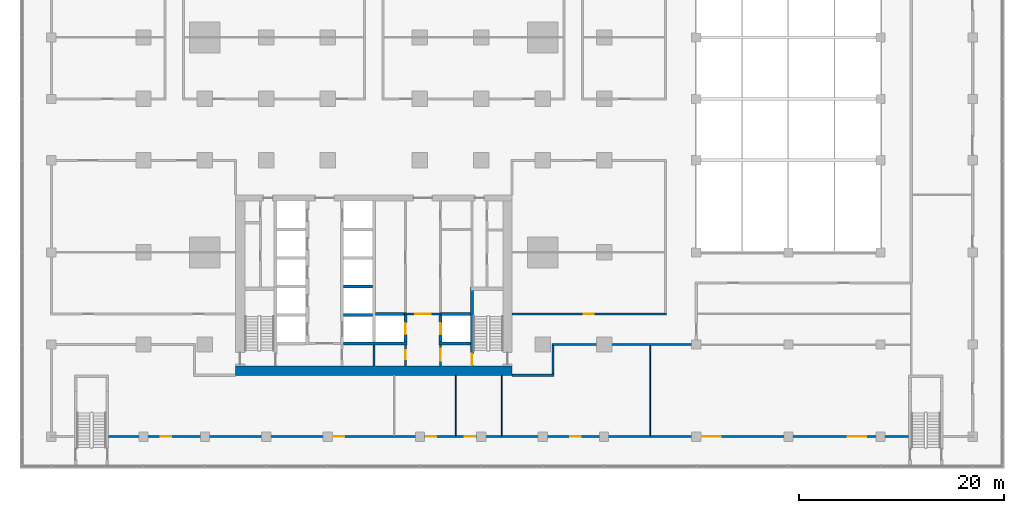
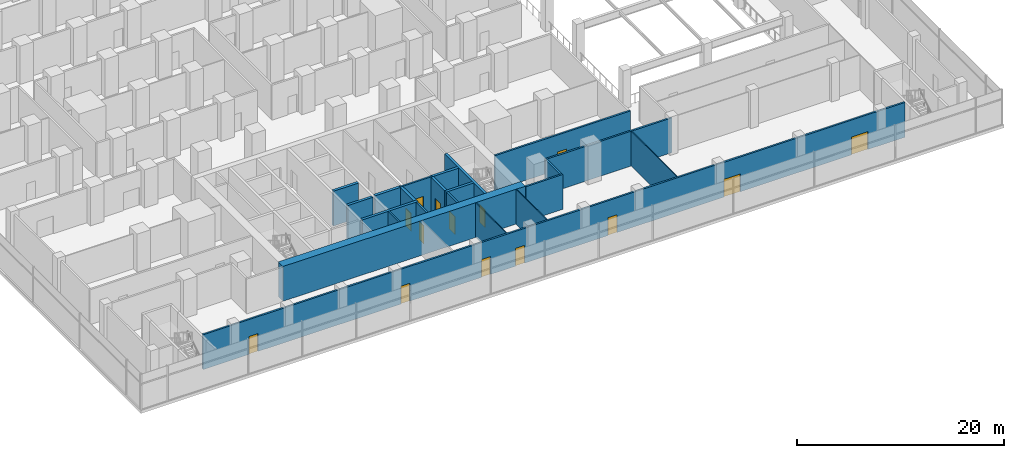
# One storey, part 14 of 22: 22 walls, 14 doors, 14 openings.
"""IFC4 building model written with IfcOpenShell, lengths in metres."""

from ifc_helpers import new_model, si_unit, direction, frame, frame_2d, origin, place, context, subcontext, project, spatial, rectangle, extrude, material, layer, layer_set, type_object, element, fill, save


model = new_model("IFC4")

# Units and contexts
model_context = context("Model", 3, precision=1e-05, world=origin(), true_north=direction((0.0, 1.0)))
body_context = subcontext(model_context, "Body", "Model", "MODEL_VIEW")
ifc_project = project(units=[si_unit("LENGTHUNIT", "METRE"), si_unit("AREAUNIT", "SQUARE_METRE"), si_unit("VOLUMEUNIT", "CUBIC_METRE"), si_unit("PLANEANGLEUNIT", "RADIAN"), si_unit("MASSUNIT", "GRAM", prefix="KILO")], contexts=[model_context])

# Site, building, storey
site_placement = place(None, origin())
site = spatial("IfcSite", under=ifc_project, at=site_placement, CompositionType="ELEMENT")
building_placement = place(site_placement, origin())
building = spatial("IfcBuilding", under=site, at=building_placement, Name="Finial Court Residences", CompositionType="ELEMENT")
storey_placement = place(building_placement, frame((0.0, 0.0, 28.0)))
storey = spatial("IfcBuildingStorey", under=building, at=storey_placement, Name="L05", CompositionType="ELEMENT", Elevation=28.0)

# Wall
ifc_material_1 = material(Name="Concrete C80/95", Category="concrete")
ifc_layer_1 = layer(ifc_material_1, 0.89990234375)
ifc_layer_set_1 = layer_set([ifc_layer_1], Name="Core outer wall 900 Concrete C80/95")
wall_type_1 = type_object("IfcWallType", Name="Core outer wall 900 Concrete C80/95", PredefinedType="SHEAR", material=ifc_layer_set_1)
wall_1_placement = place(storey_placement, frame((-13.5, -25.050048828125, 0.0), z_axis=(0.0, 0.0, 1.0), x_axis=(1.0, 0.0, 0.0)))
element("IfcWall", 1, at=wall_1_placement, inside=storey, type_object=wall_type_1, Name="Core outer wall L05-01", PredefinedType="SHEAR", context=body_context, shape_type="SweptSolid", body=[
    extrude(rectangle(XDim=27.0, YDim=0.89990234375, at=frame_2d((13.5, 0.0))), origin(), (0.0, 0.0, 1.0), 4.10009765625),
])

# Wall, openings, doors
ifc_material_2 = material(Name="Gypsum board")
ifc_layer_2 = layer(ifc_material_2, 0.02490234375)
ifc_material_3 = material(Name="Acoustic mineral wool in double frame")
ifc_layer_3 = layer(ifc_material_3, 0.14990234375)
ifc_layer_4 = layer(ifc_material_2, 0.02490234375)
ifc_layer_set_2 = layer_set([ifc_layer_2, ifc_layer_3, ifc_layer_4], Name="Corridor wall 200, 1 hour")
wall_type_2 = type_object("IfcWallType", Name="Corridor wall 200, 1 hour", PredefinedType="PARTITIONING", material=ifc_layer_set_2)
wall_2_placement = place(storey_placement, frame((-25.89990234375, -31.5, 0.0), z_axis=(0.0, 0.0, 1.0), x_axis=(1.0, 0.0, 0.0)))
wall_2 = element("IfcWall", 2, at=wall_2_placement, inside=storey, type_object=wall_type_2, Name="Partition L05-001", PredefinedType="PARTITIONING", context=body_context, shape_type="SweptSolid", body=[
    extrude(rectangle(XDim=78.14990234375, YDim=0.199951171875, at=frame_2d((39.074951171875, 0.0))), origin(), (0.0, 0.0, 1.0), 4.10009765625),
])
opening_1_placement = place(wall_2_placement, frame((5.10009765625, 0.0, 0.0)))
opening_1 = element("IfcOpeningElement", 3, at=opening_1_placement, cuts=wall_2, Name="Opening L05-D001", PredefinedType="OPENING", context=body_context, shape_type="SweptSolid", body=[
    extrude(rectangle(XDim=1.0, YDim=2.10009765625, at=frame_2d((0.5, 1.050048828125))), frame((0.0, 0.10986328125, 0.0), z_axis=(0.0, -1.0, 0.0), x_axis=(1.0, 0.0, 0.0)), (0.0, 0.0, 1.0), 0.219970703125),
])
opening_2_placement = place(wall_2_placement, frame((22.0, 0.0, 0.0)))
opening_2 = element("IfcOpeningElement", 4, at=opening_2_placement, cuts=wall_2, Name="Opening L05-D002", PredefinedType="OPENING", context=body_context, shape_type="SweptSolid", body=[
    extrude(rectangle(XDim=1.0, YDim=2.10009765625, at=frame_2d((0.5, 1.050048828125))), frame((0.0, 0.10986328125, 0.0), z_axis=(0.0, -1.0, 0.0), x_axis=(1.0, 0.0, 0.0)), (0.0, 0.0, 1.0), 0.219970703125),
])
opening_3_placement = place(wall_2_placement, frame((31.0, 0.0, 0.0)))
opening_3 = element("IfcOpeningElement", 5, at=opening_3_placement, cuts=wall_2, Name="Opening L05-D003", PredefinedType="OPENING", context=body_context, shape_type="SweptSolid", body=[
    extrude(rectangle(XDim=1.0, YDim=2.10009765625, at=frame_2d((0.5, 1.050048828125))), frame((0.0, 0.10986328125, 0.0), z_axis=(0.0, -1.0, 0.0), x_axis=(1.0, 0.0, 0.0)), (0.0, 0.0, 1.0), 0.219970703125),
])
opening_4_placement = place(wall_2_placement, frame((34.800048828125, 0.0, 0.0)))
opening_4 = element("IfcOpeningElement", 6, at=opening_4_placement, cuts=wall_2, Name="Opening L05-D004", PredefinedType="OPENING", context=body_context, shape_type="SweptSolid", body=[
    extrude(rectangle(XDim=1.0, YDim=2.10009765625, at=frame_2d((0.5, 1.050048828125))), frame((0.0, 0.10986328125, 0.0), z_axis=(0.0, -1.0, 0.0), x_axis=(1.0, 0.0, 0.0)), (0.0, 0.0, 1.0), 0.219970703125),
])
opening_5_placement = place(wall_2_placement, frame((45.10009765625, 0.0, 0.0)))
opening_5 = element("IfcOpeningElement", 7, at=opening_5_placement, cuts=wall_2, Name="Opening L05-D005", PredefinedType="OPENING", context=body_context, shape_type="SweptSolid", body=[
    extrude(rectangle(XDim=1.0, YDim=2.10009765625, at=frame_2d((0.5, 1.050048828125))), frame((0.0, 0.10986328125, 0.0), z_axis=(0.0, -1.0, 0.0), x_axis=(1.0, 0.0, 0.0)), (0.0, 0.0, 1.0), 0.219970703125),
])
opening_6_placement = place(wall_2_placement, frame((58.0, 0.0, 0.0)))
opening_6 = element("IfcOpeningElement", 8, at=opening_6_placement, cuts=wall_2, Name="Opening L05-D006", PredefinedType="OPENING", context=body_context, shape_type="SweptSolid", body=[
    extrude(rectangle(XDim=1.800048828125, YDim=2.10009765625, at=frame_2d((0.89990234375, 1.050048828125))), frame((0.0, 0.10986328125, 0.0), z_axis=(0.0, -1.0, 0.0), x_axis=(1.0, 0.0, 0.0)), (0.0, 0.0, 1.0), 0.219970703125),
])
opening_7_placement = place(wall_2_placement, frame((72.199951171875, 0.0, 0.0)))
opening_7 = element("IfcOpeningElement", 9, at=opening_7_placement, cuts=wall_2, Name="Opening L05-D007", PredefinedType="OPENING", context=body_context, shape_type="SweptSolid", body=[
    extrude(rectangle(XDim=1.800048828125, YDim=2.10009765625, at=frame_2d((0.89990234375, 1.050048828125))), frame((0.0, 0.10986328125, 0.0), z_axis=(0.0, -1.0, 0.0), x_axis=(1.0, 0.0, 0.0)), (0.0, 0.0, 1.0), 0.219970703125),
])
ifc_material_4 = material(Name="Timber door leaf in hollow metal frame", Category="wood")
door_type_1 = type_object("IfcDoorType", Name="Fire door set 1000 x 2100, 30 minutes", OperationType="SINGLE_SWING_LEFT", PredefinedType="DOOR", material=ifc_material_4)
door_1_placement = place(opening_1_placement, origin())
door_1 = element("IfcDoor", 10, at=door_1_placement, inside=storey, type_object=door_type_1, Name="Door L05-D001", OperationType="SINGLE_SWING_RIGHT", OverallHeight=2.10009765625, OverallWidth=1.0, PredefinedType="DOOR", context=body_context, shape_type="SweptSolid", body=[
    extrude(rectangle(XDim=1.0, YDim=2.10009765625, at=frame_2d((0.5, 1.050048828125))), frame((0.0, 0.02490234375, 0.0), z_axis=(0.0, -1.0, 0.0), x_axis=(1.0, 0.0, 0.0)), (0.0, 0.0, 1.0), 0.050048828125),
])
fill(opening_1, door_1)
door_2_placement = place(opening_2_placement, origin())
door_2 = element("IfcDoor", 11, at=door_2_placement, inside=storey, type_object=door_type_1, Name="Door L05-D002", OperationType="SINGLE_SWING_RIGHT", OverallHeight=2.10009765625, OverallWidth=1.0, PredefinedType="DOOR", context=body_context, shape_type="SweptSolid", body=[
    extrude(rectangle(XDim=1.0, YDim=2.10009765625, at=frame_2d((0.5, 1.050048828125))), frame((0.0, 0.02490234375, 0.0), z_axis=(0.0, -1.0, 0.0), x_axis=(1.0, 0.0, 0.0)), (0.0, 0.0, 1.0), 0.050048828125),
])
fill(opening_2, door_2)
door_3_placement = place(opening_3_placement, origin())
door_3 = element("IfcDoor", 12, at=door_3_placement, inside=storey, type_object=door_type_1, Name="Door L05-D003", OperationType="SINGLE_SWING_RIGHT", OverallHeight=2.10009765625, OverallWidth=1.0, PredefinedType="DOOR", context=body_context, shape_type="SweptSolid", body=[
    extrude(rectangle(XDim=1.0, YDim=2.10009765625, at=frame_2d((0.5, 1.050048828125))), frame((0.0, 0.02490234375, 0.0), z_axis=(0.0, -1.0, 0.0), x_axis=(1.0, 0.0, 0.0)), (0.0, 0.0, 1.0), 0.050048828125),
])
fill(opening_3, door_3)
door_4_placement = place(opening_4_placement, origin())
door_4 = element("IfcDoor", 13, at=door_4_placement, inside=storey, type_object=door_type_1, Name="Door L05-D004", OperationType="SINGLE_SWING_RIGHT", OverallHeight=2.10009765625, OverallWidth=1.0, PredefinedType="DOOR", context=body_context, shape_type="SweptSolid", body=[
    extrude(rectangle(XDim=1.0, YDim=2.10009765625, at=frame_2d((0.5, 1.050048828125))), frame((0.0, 0.02490234375, 0.0), z_axis=(0.0, -1.0, 0.0), x_axis=(1.0, 0.0, 0.0)), (0.0, 0.0, 1.0), 0.050048828125),
])
fill(opening_4, door_4)
door_5_placement = place(opening_5_placement, origin())
door_5 = element("IfcDoor", 14, at=door_5_placement, inside=storey, type_object=door_type_1, Name="Door L05-D005", OperationType="SINGLE_SWING_LEFT", OverallHeight=2.10009765625, OverallWidth=1.0, PredefinedType="DOOR", context=body_context, shape_type="SweptSolid", body=[
    extrude(rectangle(XDim=1.0, YDim=2.10009765625, at=frame_2d((0.5, 1.050048828125))), frame((0.0, 0.02490234375, 0.0), z_axis=(0.0, -1.0, 0.0), x_axis=(1.0, 0.0, 0.0)), (0.0, 0.0, 1.0), 0.050048828125),
])
fill(opening_5, door_5)
door_type_2 = type_object("IfcDoorType", Name="Fire door set 1800 x 2100, 30 minutes", OperationType="DOUBLE_DOOR_SINGLE_SWING", PredefinedType="DOOR", material=ifc_material_4)
door_6_placement = place(opening_6_placement, origin())
door_6 = element("IfcDoor", 15, at=door_6_placement, inside=storey, type_object=door_type_2, Name="Door L05-D006", OperationType="DOUBLE_DOOR_SINGLE_SWING", OverallHeight=2.10009765625, OverallWidth=1.800048828125, PredefinedType="DOOR", context=body_context, shape_type="SweptSolid", body=[
    extrude(rectangle(XDim=1.800048828125, YDim=2.10009765625, at=frame_2d((0.89990234375, 1.050048828125))), frame((0.0, 0.02490234375, 0.0), z_axis=(0.0, -1.0, 0.0), x_axis=(1.0, 0.0, 0.0)), (0.0, 0.0, 1.0), 0.050048828125),
])
fill(opening_6, door_6)
door_7_placement = place(opening_7_placement, origin())
door_7 = element("IfcDoor", 16, at=door_7_placement, inside=storey, type_object=door_type_2, Name="Door L05-D007", OperationType="DOUBLE_DOOR_SINGLE_SWING", OverallHeight=2.10009765625, OverallWidth=1.800048828125, PredefinedType="DOOR", context=body_context, shape_type="SweptSolid", body=[
    extrude(rectangle(XDim=1.800048828125, YDim=2.10009765625, at=frame_2d((0.89990234375, 1.050048828125))), frame((0.0, 0.02490234375, 0.0), z_axis=(0.0, -1.0, 0.0), x_axis=(1.0, 0.0, 0.0)), (0.0, 0.0, 1.0), 0.050048828125),
])
fill(opening_7, door_7)

# Walls
wall_3_placement = place(storey_placement, frame((13.5, -25.5, 0.0), z_axis=(0.0, 0.0, 1.0), x_axis=(1.0, 0.0, 0.0)))
element("IfcWall", 17, at=wall_3_placement, inside=storey, type_object=wall_type_2, Name="Partition L05-004", PredefinedType="PARTITIONING", context=body_context, shape_type="SweptSolid", body=[
    extrude(rectangle(XDim=4.10009765625, YDim=0.199951171875, at=frame_2d((2.050048828125, 0.0))), origin(), (0.0, 0.0, 1.0), 4.10009765625),
])
wall_4_placement = place(storey_placement, frame((17.39990234375, -22.5, 0.0), z_axis=(0.0, 0.0, 1.0), x_axis=(1.0, 0.0, 0.0)))
element("IfcWall", 18, at=wall_4_placement, inside=storey, type_object=wall_type_2, Name="Partition L05-006", PredefinedType="PARTITIONING", context=body_context, shape_type="SweptSolid", body=[
    extrude(rectangle(XDim=14.10009765625, YDim=0.199951171875, at=frame_2d((7.050048828125, 0.0))), origin(), (0.0, 0.0, 1.0), 4.10009765625),
])

# Wall, opening, door
wall_5_placement = place(storey_placement, frame((13.5, -19.5, 0.0), z_axis=(0.0, 0.0, 1.0), x_axis=(1.0, 0.0, 0.0)))
wall_5 = element("IfcWall", 19, at=wall_5_placement, inside=storey, type_object=wall_type_2, Name="Partition L05-009", PredefinedType="PARTITIONING", context=body_context, shape_type="SweptSolid", body=[
    extrude(rectangle(XDim=15.10009765625, YDim=0.199951171875, at=frame_2d((7.550048828125, 0.0))), origin(), (0.0, 0.0, 1.0), 4.10009765625),
])
opening_8_placement = place(wall_5_placement, frame((7.0, 0.0, 0.0)))
opening_8 = element("IfcOpeningElement", 20, at=opening_8_placement, cuts=wall_5, Name="Opening L05-D010", PredefinedType="OPENING", context=body_context, shape_type="SweptSolid", body=[
    extrude(rectangle(XDim=1.0, YDim=2.10009765625, at=frame_2d((0.5, 1.050048828125))), frame((0.0, 0.10986328125, 0.0), z_axis=(0.0, -1.0, 0.0), x_axis=(1.0, 0.0, 0.0)), (0.0, 0.0, 1.0), 0.219970703125),
])
door_8_placement = place(opening_8_placement, origin())
door_8 = element("IfcDoor", 21, at=door_8_placement, inside=storey, type_object=door_type_1, Name="Door L05-D010", OperationType="SINGLE_SWING_LEFT", OverallHeight=2.10009765625, OverallWidth=1.0, PredefinedType="DOOR", context=body_context, shape_type="SweptSolid", body=[
    extrude(rectangle(XDim=1.0, YDim=2.10009765625, at=frame_2d((0.5, 1.050048828125))), frame((0.0, 0.02490234375, 0.0), z_axis=(0.0, -1.0, 0.0), x_axis=(1.0, 0.0, 0.0)), (0.0, 0.0, 1.0), 0.050048828125),
])
fill(opening_8, door_8)

# Wall
wall_6_placement = place(storey_placement, frame((17.5, -25.39990234375, 0.0), z_axis=(0.0, 0.0, 1.0), x_axis=(0.0, 1.0, 0.0)))
element("IfcWall", 22, at=wall_6_placement, inside=storey, type_object=wall_type_2, Name="Partition L05-055", PredefinedType="PARTITIONING", context=body_context, shape_type="SweptSolid", body=[
    extrude(rectangle(XDim=2.7998046875, YDim=0.199951171875, at=frame_2d((1.39990234375, 0.0))), origin(), (0.0, 0.0, 1.0), 4.10009765625),
])

# Wall, opening, door
ifc_material_5 = material(Name="Fire-rated gypsum board partition")
ifc_layer_5 = layer(ifc_material_5, 0.199951171875)
ifc_layer_set_3 = layer_set([ifc_layer_5], Name="Firefighting lobby wall 200 EI 120")
wall_type_3 = type_object("IfcWallType", Name="Firefighting lobby wall 200 EI 120", PredefinedType="PARTITIONING", material=ifc_layer_set_3)
wall_7_placement = place(storey_placement, frame((6.574951171875, -19.5, 0.0), z_axis=(0.0, 0.0, 1.0), x_axis=(-1.0, 0.0, 0.0)))
wall_7 = element("IfcWall", 23, at=wall_7_placement, inside=storey, type_object=wall_type_3, Name="Core partition L05-08", PredefinedType="PARTITIONING", context=body_context, shape_type="SweptSolid", body=[
    extrude(rectangle(XDim=3.550048828125, YDim=0.199951171875, at=frame_2d((1.77490234375, 0.0))), origin(), (0.0, 0.0, 1.0), 4.10009765625),
])
opening_9_placement = place(wall_7_placement, frame((1.02490234375, 0.0, 0.0)))
opening_9 = element("IfcOpeningElement", 24, at=opening_9_placement, cuts=wall_7, Name="Opening L05-C02", PredefinedType="OPENING", context=body_context, shape_type="SweptSolid", body=[
    extrude(rectangle(XDim=1.5, YDim=2.10009765625, at=frame_2d((0.75, 1.050048828125))), frame((0.0, 0.10986328125, 0.0), z_axis=(0.0, -1.0, 0.0), x_axis=(1.0, 0.0, 0.0)), (0.0, 0.0, 1.0), 0.219970703125),
])
ifc_material_6 = material(Name="Steel fire door", Category="steel")
door_type_3 = type_object("IfcDoorType", Name="Firefighting lobby door 1500 x 2100 EI 90", OperationType="DOUBLE_DOOR_SINGLE_SWING", PredefinedType="DOOR", material=ifc_material_6)
door_9_placement = place(opening_9_placement, origin())
door_9 = element("IfcDoor", 25, at=door_9_placement, inside=storey, type_object=door_type_3, Name="Firefighting lobby door L05-C02", OperationType="DOUBLE_DOOR_SINGLE_SWING", OverallHeight=2.10009765625, OverallWidth=1.5, PredefinedType="DOOR", context=body_context, shape_type="SweptSolid", body=[
    extrude(rectangle(XDim=1.5, YDim=2.10009765625, at=frame_2d((0.75, 1.050048828125))), frame((0.0, 0.02490234375, 0.0), z_axis=(0.0, -1.0, 0.0), x_axis=(1.0, 0.0, 0.0)), (0.0, 0.0, 1.0), 0.050048828125),
])
fill(opening_9, door_9)

wall_8_placement = place(storey_placement, frame((3.10009765625, -24.60009765625, 0.0), z_axis=(0.0, 0.0, 1.0), x_axis=(0.0, 1.0, 0.0)))
wall_8 = element("IfcWall", 26, at=wall_8_placement, inside=storey, type_object=wall_type_3, Name="Core partition L05-30", PredefinedType="PARTITIONING", context=body_context, shape_type="SweptSolid", body=[
    extrude(rectangle(XDim=2.050048828125, YDim=0.199951171875, at=frame_2d((1.02490234375, 0.0))), origin(), (0.0, 0.0, 1.0), 4.10009765625),
])
opening_10_placement = place(wall_8_placement, frame((0.64990234375, 0.0, 0.0)))
opening_10 = element("IfcOpeningElement", 27, at=opening_10_placement, cuts=wall_8, Name="Opening L05-C06", PredefinedType="OPENING", context=body_context, shape_type="SweptSolid", body=[
    extrude(rectangle(XDim=0.89990234375, YDim=2.10009765625, at=frame_2d((0.449951171875, 1.050048828125))), frame((0.0, 0.10986328125, 0.0), z_axis=(0.0, -1.0, 0.0), x_axis=(1.0, 0.0, 0.0)), (0.0, 0.0, 1.0), 0.219970703125),
])
door_type_4 = type_object("IfcDoorType", Name="Riser room door 900 x 2100 EI 90", OperationType="NOTDEFINED", PredefinedType="DOOR", material=ifc_material_6)
door_10_placement = place(opening_10_placement, origin())
door_10 = element("IfcDoor", 28, at=door_10_placement, inside=storey, type_object=door_type_4, Name="Riser room door L05-C06", OperationType="SINGLE_SWING_LEFT", OverallHeight=2.10009765625, OverallWidth=0.89990234375, PredefinedType="DOOR", context=body_context, shape_type="SweptSolid", body=[
    extrude(rectangle(XDim=0.89990234375, YDim=2.10009765625, at=frame_2d((0.449951171875, 1.050048828125))), frame((0.0, 0.02490234375, 0.0), z_axis=(0.0, -1.0, 0.0), x_axis=(1.0, 0.0, 0.0)), (0.0, 0.0, 1.0), 0.050048828125),
])
fill(opening_10, door_10)

wall_9_placement = place(storey_placement, frame((6.5, -22.550048828125, 0.0), z_axis=(0.0, 0.0, 1.0), x_axis=(0.0, -1.0, 0.0)))
wall_9 = element("IfcWall", 29, at=wall_9_placement, inside=storey, type_object=wall_type_3, Name="Core partition L05-33", PredefinedType="PARTITIONING", context=body_context, shape_type="SweptSolid", body=[
    extrude(rectangle(XDim=2.050048828125, YDim=0.199951171875, at=frame_2d((1.02490234375, 0.0))), origin(), (0.0, 0.0, 1.0), 4.10009765625),
])
opening_11_placement = place(wall_9_placement, frame((0.35009765625, 0.0, 0.0)))
opening_11 = element("IfcOpeningElement", 30, at=opening_11_placement, cuts=wall_9, Name="Opening L05-C01", PredefinedType="OPENING", context=body_context, shape_type="SweptSolid", body=[
    extrude(rectangle(XDim=1.199951171875, YDim=2.10009765625, at=frame_2d((0.60009765625, 1.050048828125))), frame((0.0, 0.10986328125, 0.0), z_axis=(0.0, -1.0, 0.0), x_axis=(1.0, 0.0, 0.0)), (0.0, 0.0, 1.0), 0.219970703125),
])
door_type_5 = type_object("IfcDoorType", Name="Firefighting lobby door 1200 x 2100 EI 90", OperationType="NOTDEFINED", PredefinedType="DOOR", material=ifc_material_6)
door_11_placement = place(opening_11_placement, origin())
door_11 = element("IfcDoor", 31, at=door_11_placement, inside=storey, type_object=door_type_5, Name="Firefighting lobby door L05-C01", OperationType="SINGLE_SWING_RIGHT", OverallHeight=2.10009765625, OverallWidth=1.199951171875, PredefinedType="DOOR", context=body_context, shape_type="SweptSolid", body=[
    extrude(rectangle(XDim=1.199951171875, YDim=2.10009765625, at=frame_2d((0.60009765625, 1.050048828125))), frame((0.0, 0.02490234375, 0.0), z_axis=(0.0, -1.0, 0.0), x_axis=(1.0, 0.0, 0.0)), (0.0, 0.0, 1.0), 0.050048828125),
])
fill(opening_11, door_11)

# Walls
ifc_layer_6 = layer(ifc_material_2, 0.012451171875)
ifc_material_7 = material(Name="Mineral wool in light-gauge frame")
ifc_layer_7 = layer(ifc_material_7, 0.074951171875)
ifc_layer_8 = layer(ifc_material_2, 0.012451171875)
ifc_layer_set_4 = layer_set([ifc_layer_6, ifc_layer_7, ifc_layer_8], Name="Gypsum board partition 100")
wall_type_4 = type_object("IfcWallType", Name="Gypsum board partition 100", PredefinedType="PARTITIONING", material=ifc_layer_set_4)
for number, where, z_axis, x_axis, name in (
    (32, (8.0, -31.39990234375, 0.0), (0.0, 0.0, 1.0), (0.0, 1.0, 0.0), "Partition L05-052"),
    (33, (12.5, -31.39990234375, 0.0), (0.0, 0.0, 1.0), (0.0, 1.0, 0.0), "Partition L05-053"),
):
    element("IfcWall", number, at=place(storey_placement, frame(where, z_axis=z_axis, x_axis=x_axis)), inside=storey, type_object=wall_type_4, Name=name, PredefinedType="PARTITIONING", context=body_context, shape_type="SweptSolid", body=[
        extrude(rectangle(XDim=5.89990234375, YDim=0.10009765625, at=frame_2d((2.949951171875, 0.0))), origin(), (0.0, 0.0, 1.0), 4.10009765625),
    ])
wall_10_placement = place(storey_placement, frame((27.0, -31.39990234375, 0.0), z_axis=(0.0, 0.0, 1.0), x_axis=(0.0, 1.0, 0.0)))
element("IfcWall", 34, at=wall_10_placement, inside=storey, type_object=wall_type_4, Name="Partition L05-059", PredefinedType="PARTITIONING", context=body_context, shape_type="SweptSolid", body=[
    extrude(rectangle(XDim=8.7998046875, YDim=0.10009765625, at=frame_2d((4.39990234375, 0.0))), origin(), (0.0, 0.0, 1.0), 4.10009765625),
])
ifc_layer_9 = layer(ifc_material_1, 0.300048828125)
ifc_layer_set_5 = layer_set([ifc_layer_9], Name="Lift shaft and stair wall 300 Concrete C80/95")
wall_type_5 = type_object("IfcWallType", Name="Lift shaft and stair wall 300 Concrete C80/95", PredefinedType="SHEAR", material=ifc_layer_set_5)
wall_11_placement = place(storey_placement, frame((-2.949951171875, -22.39990234375, 0.0), z_axis=(0.0, 0.0, 1.0), x_axis=(1.0, 0.0, 0.0)))
element("IfcWall", 35, at=wall_11_placement, inside=storey, type_object=wall_type_5, Name="Core wall L05-03", PredefinedType="SHEAR", context=body_context, shape_type="SweptSolid", body=[
    extrude(rectangle(XDim=6.199951171875, YDim=0.300048828125, at=frame_2d((3.10009765625, 0.0))), origin(), (0.0, 0.0, 1.0), 4.10009765625),
])
wall_12_placement = place(storey_placement, frame((6.35009765625, -22.39990234375, 0.0), z_axis=(0.0, 0.0, 1.0), x_axis=(1.0, 0.0, 0.0)))
element("IfcWall", 36, at=wall_12_placement, inside=storey, type_object=wall_type_5, Name="Core wall L05-04", PredefinedType="SHEAR", context=body_context, shape_type="SweptSolid", body=[
    extrude(rectangle(XDim=3.099853515625, YDim=0.300048828125, at=frame_2d((1.5498046875, 0.0))), origin(), (0.0, 0.0, 1.0), 4.10009765625),
])
wall_13_placement = place(storey_placement, frame((-2.949951171875, -19.6201171875, 0.0), z_axis=(0.0, 0.0, 1.0), x_axis=(1.0, 0.0, 0.0)))
element("IfcWall", 37, at=wall_13_placement, inside=storey, type_object=wall_type_5, Name="Core wall L05-06", PredefinedType="SHEAR", context=body_context, shape_type="SweptSolid", body=[
    extrude(rectangle(XDim=2.800048828125, YDim=0.300048828125, at=frame_2d((1.39990234375, 0.0))), origin(), (0.0, 0.0, 1.0), 4.10009765625),
])
wall_14_placement = place(storey_placement, frame((0.14990234375, -19.5, 0.0), z_axis=(0.0, 0.0, 1.0), x_axis=(1.0, 0.0, 0.0)))
element("IfcWall", 38, at=wall_14_placement, inside=storey, type_object=wall_type_5, Name="Core wall L05-07", PredefinedType="SHEAR", context=body_context, shape_type="SweptSolid", body=[
    extrude(rectangle(XDim=3.025146484375, YDim=0.300048828125, at=frame_2d((1.5126953125, 0.0))), origin(), (0.0, 0.0, 1.0), 4.10009765625),
])
wall_15_placement = place(storey_placement, frame((6.425048828125, -19.5, 0.0), z_axis=(0.0, 0.0, 1.0), x_axis=(1.0, 0.0, 0.0)))
element("IfcWall", 39, at=wall_15_placement, inside=storey, type_object=wall_type_5, Name="Core wall L05-09", PredefinedType="SHEAR", context=body_context, shape_type="SweptSolid", body=[
    extrude(rectangle(XDim=3.02490234375, YDim=0.300048828125, at=frame_2d((1.512451171875, 0.0))), origin(), (0.0, 0.0, 1.0), 4.10009765625),
])
wall_16_placement = place(storey_placement, frame((-2.949951171875, -16.840087890625, 0.0), z_axis=(0.0, 0.0, 1.0), x_axis=(1.0, 0.0, 0.0)))
element("IfcWall", 40, at=wall_16_placement, inside=storey, type_object=wall_type_5, Name="Core wall L05-13", PredefinedType="SHEAR", context=body_context, shape_type="SweptSolid", body=[
    extrude(rectangle(XDim=2.800048828125, YDim=0.300048828125, at=frame_2d((1.39990234375, 0.0))), origin(), (0.0, 0.0, 1.0), 4.10009765625),
])

# Wall, opening, door
wall_17_placement = place(storey_placement, frame((3.10009765625, -22.25, 0.0), z_axis=(0.0, 0.0, 1.0), x_axis=(0.0, 1.0, 0.0)))
wall_17 = element("IfcWall", 41, at=wall_17_placement, inside=storey, type_object=wall_type_5, Name="Core wall L05-31", PredefinedType="SHEAR", context=body_context, shape_type="SweptSolid", body=[
    extrude(rectangle(XDim=2.85009765625, YDim=0.300048828125, at=frame_2d((1.425048828125, 0.0))), origin(), (0.0, 0.0, 1.0), 4.10009765625),
])
opening_12_placement = place(wall_17_placement, frame((0.75, 0.0, 0.0)))
opening_12 = element("IfcOpeningElement", 42, at=opening_12_placement, cuts=wall_17, Name="Opening L05-LD01", PredefinedType="OPENING", context=body_context, shape_type="SweptSolid", body=[
    extrude(rectangle(XDim=1.10009765625, YDim=2.10009765625, at=frame_2d((0.550048828125, 1.050048828125))), frame((0.0, 0.159912109375, 0.0), z_axis=(0.0, -1.0, 0.0), x_axis=(1.0, 0.0, 0.0)), (0.0, 0.0, 1.0), 0.320068359375),
])
ifc_material_8 = material(Name="Stainless steel lift door", Category="steel")
door_type_6 = type_object("IfcDoorType", Name="Lift landing door 1100 x 2100 EI 90", OperationType="DOUBLE_DOOR_SLIDING", PredefinedType="DOOR", material=ifc_material_8)
door_12_placement = place(opening_12_placement, origin())
door_12 = element("IfcDoor", 43, at=door_12_placement, inside=storey, type_object=door_type_6, Name="Lift landing door FF1 L05", OperationType="DOUBLE_DOOR_SLIDING", OverallHeight=2.10009765625, OverallWidth=1.10009765625, PredefinedType="DOOR", context=body_context, shape_type="SweptSolid", body=[
    extrude(rectangle(XDim=1.10009765625, YDim=2.10009765625, at=frame_2d((0.550048828125, 1.050048828125))), frame((0.0, 0.02490234375, 0.0), z_axis=(0.0, -1.0, 0.0), x_axis=(1.0, 0.0, 0.0)), (0.0, 0.0, 1.0), 0.050048828125),
])
fill(opening_12, door_12)

wall_18_placement = place(storey_placement, frame((6.5, -22.25, 0.0), z_axis=(0.0, 0.0, 1.0), x_axis=(0.0, 1.0, 0.0)))
wall_18 = element("IfcWall", 44, at=wall_18_placement, inside=storey, type_object=wall_type_5, Name="Core wall L05-34", PredefinedType="SHEAR", context=body_context, shape_type="SweptSolid", body=[
    extrude(rectangle(XDim=2.60009765625, YDim=0.300048828125, at=frame_2d((1.300048828125, 0.0))), origin(), (0.0, 0.0, 1.0), 4.10009765625),
])
opening_13_placement = place(wall_18_placement, frame((0.75, 0.0, 0.0)))
opening_13 = element("IfcOpeningElement", 45, at=opening_13_placement, cuts=wall_18, Name="Opening L05-LD02", PredefinedType="OPENING", context=body_context, shape_type="SweptSolid", body=[
    extrude(rectangle(XDim=1.10009765625, YDim=2.10009765625, at=frame_2d((0.550048828125, 1.050048828125))), frame((0.0, 0.159912109375, 0.0), z_axis=(0.0, -1.0, 0.0), x_axis=(1.0, 0.0, 0.0)), (0.0, 0.0, 1.0), 0.320068359375),
])
door_13_placement = place(opening_13_placement, origin())
door_13 = element("IfcDoor", 46, at=door_13_placement, inside=storey, type_object=door_type_6, Name="Lift landing door FF2 L05", OperationType="DOUBLE_DOOR_SLIDING", OverallHeight=2.10009765625, OverallWidth=1.10009765625, PredefinedType="DOOR", context=body_context, shape_type="SweptSolid", body=[
    extrude(rectangle(XDim=1.10009765625, YDim=2.10009765625, at=frame_2d((0.550048828125, 1.050048828125))), frame((0.0, 0.02490234375, 0.0), z_axis=(0.0, -1.0, 0.0), x_axis=(1.0, 0.0, 0.0)), (0.0, 0.0, 1.0), 0.050048828125),
])
fill(opening_13, door_13)

wall_19_placement = place(storey_placement, frame((9.60009765625, -16.89990234375, 0.0), z_axis=(0.0, 0.0, 1.0), x_axis=(0.0, -1.0, 0.0)))
wall_19 = element("IfcWall", 47, at=wall_19_placement, inside=storey, type_object=wall_type_5, Name="Core wall L05-36", PredefinedType="SHEAR", context=body_context, shape_type="SweptSolid", body=[
    extrude(rectangle(XDim=7.7001953125, YDim=0.300048828125, at=frame_2d((3.85009765625, 0.0))), origin(), (0.0, 0.0, 1.0), 4.10009765625),
])
opening_14_placement = place(wall_19_placement, frame((6.5, 0.0, 0.0)))
opening_14 = element("IfcOpeningElement", 48, at=opening_14_placement, cuts=wall_19, Name="Opening L05-C18", PredefinedType="OPENING", context=body_context, shape_type="SweptSolid", body=[
    extrude(rectangle(XDim=1.10009765625, YDim=2.10009765625, at=frame_2d((0.550048828125, 1.050048828125))), frame((0.0, 0.159912109375, 0.0), z_axis=(0.0, -1.0, 0.0), x_axis=(1.0, 0.0, 0.0)), (0.0, 0.0, 1.0), 0.320068359375),
])
door_type_7 = type_object("IfcDoorType", Name="Stair door 1100 x 2100 EI 90", OperationType="NOTDEFINED", PredefinedType="DOOR", material=ifc_material_6)
door_14_placement = place(opening_14_placement, origin())
door_14 = element("IfcDoor", 49, at=door_14_placement, inside=storey, type_object=door_type_7, Name="Stair door L05-C18", OperationType="SINGLE_SWING_RIGHT", OverallHeight=2.10009765625, OverallWidth=1.10009765625, PredefinedType="DOOR", context=body_context, shape_type="SweptSolid", body=[
    extrude(rectangle(XDim=1.10009765625, YDim=2.10009765625, at=frame_2d((0.550048828125, 1.050048828125))), frame((0.0, 0.02490234375, 0.0), z_axis=(0.0, -1.0, 0.0), x_axis=(1.0, 0.0, 0.0)), (0.0, 0.0, 1.0), 0.050048828125),
])
fill(opening_14, door_14)

# Wall
ifc_layer_10 = layer(ifc_material_5, 0.199951171875)
ifc_layer_set_6 = layer_set([ifc_layer_10], Name="Riser room wall 200 EI 120")
wall_type_6 = type_object("IfcWallType", Name="Riser room wall 200 EI 120", PredefinedType="PARTITIONING", material=ifc_layer_set_6)
wall_20_placement = place(storey_placement, frame((0.0, -24.60009765625, 0.0), z_axis=(0.0, 0.0, 1.0), x_axis=(0.0, 1.0, 0.0)))
element("IfcWall", 50, at=wall_20_placement, inside=storey, type_object=wall_type_6, Name="Core partition L05-28", PredefinedType="PARTITIONING", context=body_context, shape_type="SweptSolid", body=[
    extrude(rectangle(XDim=2.050048828125, YDim=0.199951171875, at=frame_2d((1.02490234375, 0.0))), origin(), (0.0, 0.0, 1.0), 4.10009765625),
])

save(model, "model.ifc")
